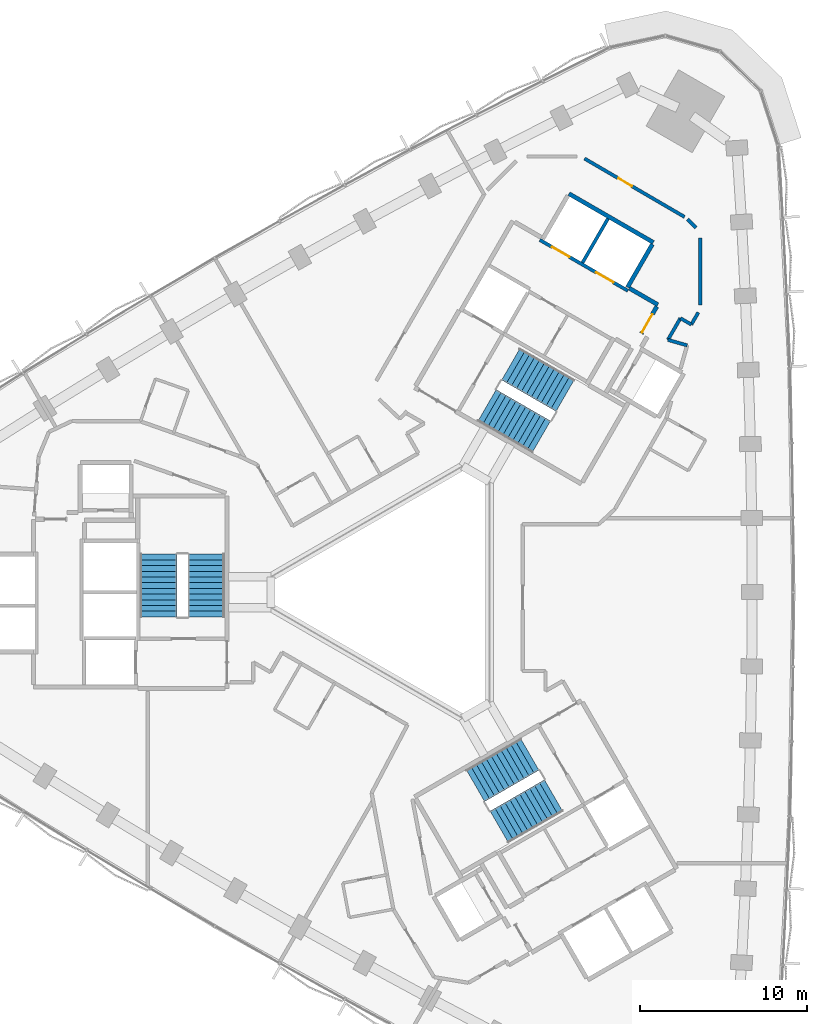
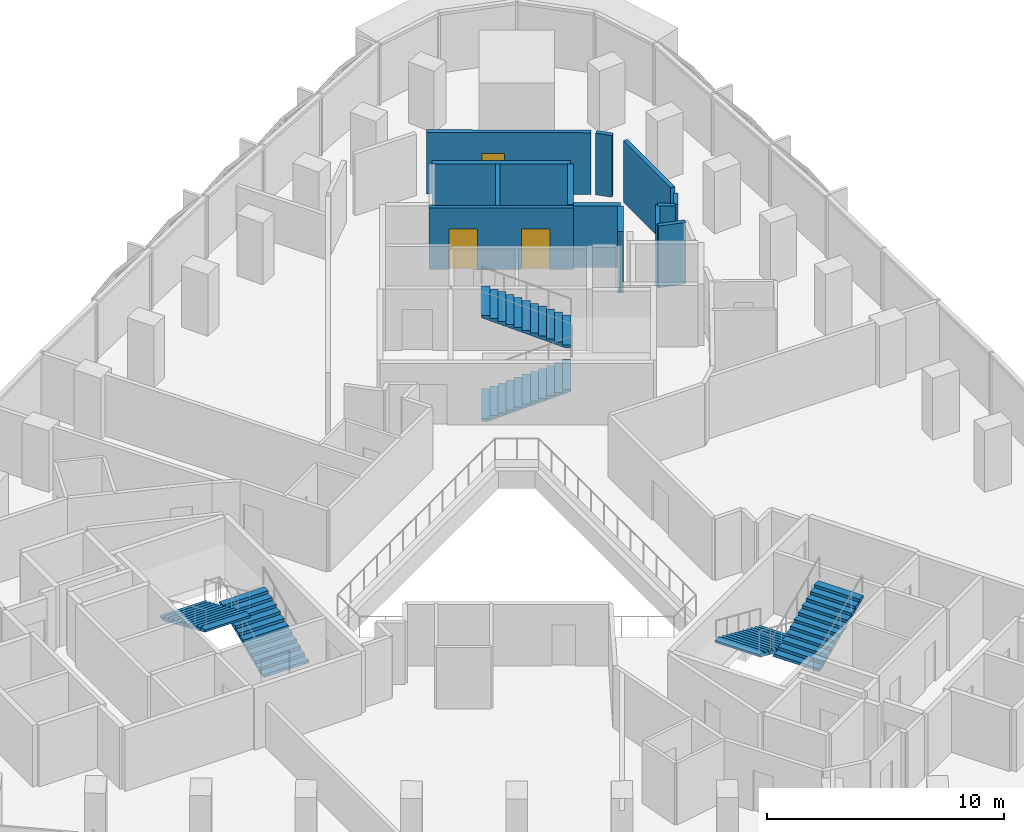
# One storey, part 11 of 15: 13 walls, 6 stair flights, 4 doors, 4 openings, 3 elements without a shape of their own.
"""IFC4 building model written with IfcOpenShell, lengths in metres."""

from ifc_helpers import new_model, si_unit, direction, frame, frame_2d, origin, place, context, subcontext, project, spatial, polyline, rectangle, outline, extrude, material, layer, layer_set, type_object, element, fill, aggregate, save


model = new_model("IFC4")

# Units and contexts
model_context = context("Model", 3, precision=1e-05, world=origin(), true_north=direction((0.0, 1.0)))
body_context = subcontext(model_context, "Body", "Model", "MODEL_VIEW")
ifc_project = project(units=[si_unit("LENGTHUNIT", "METRE"), si_unit("AREAUNIT", "SQUARE_METRE"), si_unit("VOLUMEUNIT", "CUBIC_METRE"), si_unit("PLANEANGLEUNIT", "RADIAN"), si_unit("MASSUNIT", "GRAM", prefix="KILO")], contexts=[model_context])

# Site, building, storey
site_placement = place(None, origin())
site = spatial("IfcSite", under=ifc_project, at=site_placement, CompositionType="ELEMENT")
building_placement = place(site_placement, origin())
building = spatial("IfcBuilding", under=site, at=building_placement, Name="Tamra Quay Hotel Tower", CompositionType="ELEMENT")
storey_placement = place(building_placement, frame((0.0, 0.0, 108.199951171875)))
storey = spatial("IfcBuildingStorey", under=building, at=storey_placement, Name="L26", CompositionType="ELEMENT", Elevation=108.199951171875)

# Wall, openings, doors
ifc_material_1 = material(Name="Concrete M70", Category="concrete")
ifc_layer_1 = layer(ifc_material_1, 0.199951171875)
ifc_layer_set_1 = layer_set([ifc_layer_1], Name="Concrete M70 core wall 200")
wall_type_1 = type_object("IfcWallType", Name="Concrete M70 core wall 200", PredefinedType="SHEAR", material=ifc_layer_set_1)
wall_1_placement = place(storey_placement, frame((13.209716796875, 18.07958984375, 0.0), z_axis=(0.0, 0.0, 1.0), x_axis=(-0.866030299012, 0.499991521122, 0.0)))
wall_1 = element("IfcWall", 1, at=wall_1_placement, inside=storey, type_object=wall_type_1, Name="CW2", PredefinedType="SHEAR", context=body_context, shape_type="SweptSolid", body=[
    extrude(rectangle(XDim=6.10009765625, YDim=0.199951171875, at=frame_2d((3.050048828125, 0.0))), origin(), (0.0, 0.0, 1.0), 3.175048828125),
])
opening_1_placement = place(wall_1_placement, frame((1.0, 0.0, 0.0)))
opening_1 = element("IfcOpeningElement", 2, at=opening_1_placement, cuts=wall_1, Name="Opening LD", PredefinedType="OPENING", context=body_context, shape_type="SweptSolid", body=[
    extrude(rectangle(XDim=1.199951171875, YDim=2.10009765625, at=frame_2d((0.60009765625, 1.050048828125))), frame((0.0, 0.10986328125, 0.0), z_axis=(0.0, -1.0, 0.0), x_axis=(1.0, 0.0, 0.0)), (0.0, 0.0, 1.0), 0.219970703125),
])
opening_2_placement = place(wall_1_placement, frame((4.05029296875, 0.0, 0.0)))
opening_2 = element("IfcOpeningElement", 3, at=opening_2_placement, cuts=wall_1, Name="Opening LD", PredefinedType="OPENING", context=body_context, shape_type="SweptSolid", body=[
    extrude(rectangle(XDim=1.199951171875, YDim=2.10009765625, at=frame_2d((0.60009765625, 1.050048828125))), frame((0.0, 0.10986328125, 0.0), z_axis=(0.0, -1.0, 0.0), x_axis=(1.0, 0.0, 0.0)), (0.0, 0.0, 1.0), 0.219970703125),
])
ifc_material_2 = material(Name="Landing door LD 1200 double door sliding")
door_type_1 = type_object("IfcDoorType", Name="Landing door LD 1200 double door sliding", OperationType="DOUBLE_DOOR_SLIDING", PredefinedType="DOOR", material=ifc_material_2)
door_1_placement = place(opening_1_placement, origin())
door_1 = element("IfcDoor", 4, at=door_1_placement, inside=storey, type_object=door_type_1, Name="LD", OperationType="DOUBLE_DOOR_SLIDING", OverallHeight=2.10009765625, OverallWidth=1.199951171875, PredefinedType="DOOR", context=body_context, shape_type="SweptSolid", body=[
    extrude(rectangle(XDim=1.199951171875, YDim=2.10009765625, at=frame_2d((0.60009765625, 1.050048828125))), frame((0.0, 0.02490234375, 0.0), z_axis=(0.0, -1.0, 0.0), x_axis=(1.0, 0.0, 0.0)), (0.0, 0.0, 1.0), 0.050048828125),
])
fill(opening_1, door_1)
door_2_placement = place(opening_2_placement, origin())
door_2 = element("IfcDoor", 5, at=door_2_placement, inside=storey, type_object=door_type_1, Name="LD", OperationType="DOUBLE_DOOR_SLIDING", OverallHeight=2.10009765625, OverallWidth=1.199951171875, PredefinedType="DOOR", context=body_context, shape_type="SweptSolid", body=[
    extrude(rectangle(XDim=1.199951171875, YDim=2.10009765625, at=frame_2d((0.60009765625, 1.050048828125))), frame((0.0, 0.02490234375, 0.0), z_axis=(0.0, -1.0, 0.0), x_axis=(1.0, 0.0, 0.0)), (0.0, 0.0, 1.0), 0.050048828125),
])
fill(opening_2, door_2)

# Walls
wall_2_placement = place(storey_placement, frame((10.48876953125, 19.76708984375, 0.0), z_axis=(0.0, 0.0, 1.0), x_axis=(0.499946628782, 0.866056215479, 0.0)))
element("IfcWall", 6, at=wall_2_placement, inside=storey, type_object=wall_type_1, Name="CW2", PredefinedType="SHEAR", context=body_context, shape_type="SweptSolid", body=[
    extrude(rectangle(XDim=3.048095703125, YDim=0.199951171875, at=frame_2d((1.52392578125, 0.0))), origin(), (0.0, 0.0, 1.0), 3.175048828125),
])
ifc_layer_2 = layer(ifc_material_1, 0.25)
ifc_layer_set_2 = layer_set([ifc_layer_2], Name="Concrete M70 core wall 250")
wall_type_2 = type_object("IfcWallType", Name="Concrete M70 core wall 250", PredefinedType="SHEAR", material=ifc_layer_set_2)
wall_3_placement = place(storey_placement, frame((9.672607421875, 23.9033203125, 0.0), z_axis=(0.0, 0.0, 1.0), x_axis=(0.86603616409, -0.499981362141, 0.0)))
element("IfcWall", 7, at=wall_3_placement, inside=storey, type_object=wall_type_2, Name="CW1", PredefinedType="SHEAR", context=body_context, shape_type="SweptSolid", body=[
    extrude(rectangle(XDim=5.849853515625, YDim=0.25, at=frame_2d((2.9248046875, 0.0))), origin(), (0.0, 0.0, 1.0), 3.175048828125),
])
wall_4_placement = place(storey_placement, frame((14.67626953125, 20.869873046875, 0.0), z_axis=(0.0, 0.0, 1.0), x_axis=(-0.499987686533, -0.866032512851, 0.0)))
element("IfcWall", 8, at=wall_4_placement, inside=storey, type_object=wall_type_2, Name="CW1", PredefinedType="SHEAR", context=body_context, shape_type="SweptSolid", body=[
    extrude(rectangle(XDim=2.974609375, YDim=0.25, at=frame_2d((1.4873046875, 0.0))), origin(), (0.0, 0.0, 1.0), 3.175048828125),
])
wall_5_placement = place(storey_placement, frame((13.29736328125, 18.23095703125, 0.0), z_axis=(0.0, 0.0, 1.0), x_axis=(0.866043531843, -0.499968599967, 0.0)))
element("IfcWall", 9, at=wall_5_placement, inside=storey, type_object=wall_type_2, Name="CW1", PredefinedType="SHEAR", context=body_context, shape_type="SweptSolid", body=[
    extrude(rectangle(XDim=1.974853515625, YDim=0.25, at=frame_2d((0.9873046875, 0.0))), origin(), (0.0, 0.0, 1.0), 3.175048828125),
])

# Wall, opening, door
wall_6_placement = place(storey_placement, frame((14.94482421875, 17.13525390625, 0.0), z_axis=(0.0, 0.0, 1.0), x_axis=(-0.499983108224, -0.866035156036, 0.0)))
wall_6 = element("IfcWall", 10, at=wall_6_placement, inside=storey, type_object=wall_type_2, Name="CW1", PredefinedType="SHEAR", context=body_context, shape_type="SweptSolid", body=[
    extrude(rectangle(XDim=1.86474609375, YDim=0.25, at=frame_2d((0.932373046875, 0.0))), origin(), (0.0, 0.0, 1.0), 3.175048828125),
])
opening_3_placement = place(wall_6_placement, frame((0.53466796875, 0.0, 0.0)))
opening_3 = element("IfcOpeningElement", 11, at=opening_3_placement, cuts=wall_6, Name="Opening FD3", PredefinedType="OPENING", context=body_context, shape_type="SweptSolid", body=[
    extrude(rectangle(XDim=1.25, YDim=2.10009765625, at=frame_2d((0.625, 1.050048828125))), frame((0.0, 0.135009765625, 0.0), z_axis=(0.0, -1.0, 0.0), x_axis=(1.0, 0.0, 0.0)), (0.0, 0.0, 1.0), 0.27001953125),
])
ifc_material_3 = material(Name="Core door FD3 1250x2100 LH")
door_type_2 = type_object("IfcDoorType", Name="Core door FD3 1250x2100 LH", OperationType="NOTDEFINED", PredefinedType="DOOR", material=ifc_material_3)
door_3_placement = place(opening_3_placement, origin())
door_3 = element("IfcDoor", 12, at=door_3_placement, inside=storey, type_object=door_type_2, Name="FD3", OperationType="SINGLE_SWING_LEFT", OverallHeight=2.10009765625, OverallWidth=1.25, PredefinedType="DOOR", context=body_context, shape_type="SweptSolid", body=[
    extrude(rectangle(XDim=1.25, YDim=2.10009765625, at=frame_2d((0.625, 1.050048828125))), frame((0.0, 0.02490234375, 0.0), z_axis=(0.0, -1.0, 0.0), x_axis=(1.0, 0.0, 0.0)), (0.0, 0.0, 1.0), 0.050048828125),
])
fill(opening_3, door_3)

ifc_material_4 = material(Name="Partition corridor wall")
ifc_layer_3 = layer(ifc_material_4, 0.199951171875)
ifc_layer_set_3 = layer_set([ifc_layer_3], Name="Partition corridor wall")
wall_type_3 = type_object("IfcWallType", Name="Partition corridor wall", PredefinedType="PARTITIONING", material=ifc_layer_set_3)
wall_7_placement = place(storey_placement, frame((10.60693359375, 26.010009765625, 0.0), z_axis=(0.0, 0.0, 1.0), x_axis=(0.863778900898, -0.503871025524, 0.0)))
wall_7 = element("IfcWall", 13, at=wall_7_placement, inside=storey, type_object=wall_type_3, Name="W-C", PredefinedType="PARTITIONING", context=body_context, shape_type="SweptSolid", body=[
    extrude(rectangle(XDim=6.9462890625, YDim=0.199951171875, at=frame_2d((3.47314453125, 0.0))), origin(), (0.0, 0.0, 1.0), 3.175048828125),
])
opening_4_placement = place(wall_7_placement, frame((2.35009765625, 0.0, 0.0)))
opening_4 = element("IfcOpeningElement", 14, at=opening_4_placement, cuts=wall_7, Name="Opening L26-D002", PredefinedType="OPENING", context=body_context, shape_type="SweptSolid", body=[
    extrude(rectangle(XDim=0.949951171875, YDim=2.10009765625, at=frame_2d((0.47509765625, 1.050048828125))), frame((0.0, 0.10986328125, 0.0), z_axis=(0.0, -1.0, 0.0), x_axis=(1.0, 0.0, 0.0)), (0.0, 0.0, 1.0), 0.219970703125),
])
ifc_material_5 = material(Name="Door guest room 950x2100")
door_type_3 = type_object("IfcDoorType", Name="Door guest room 950x2100", OperationType="NOTDEFINED", PredefinedType="DOOR", material=ifc_material_5)
door_4_placement = place(opening_4_placement, frame((0.949951171875, 0.0, 0.0), z_axis=(0.0, 0.0, 1.0), x_axis=(-1.0, 0.0, 0.0)))
door_4 = element("IfcDoor", 15, at=door_4_placement, inside=storey, type_object=door_type_3, Name="L26-D002", OperationType="SINGLE_SWING_LEFT", OverallHeight=2.10009765625, OverallWidth=0.949951171875, PredefinedType="DOOR", context=body_context, shape_type="SweptSolid", body=[
    extrude(rectangle(XDim=0.949951171875, YDim=2.10009765625, at=frame_2d((0.47509765625, 1.050048828125))), frame((0.0, 0.02490234375, 0.0), z_axis=(0.0, -1.0, 0.0), x_axis=(1.0, 0.0, 0.0)), (0.0, 0.0, 1.0), 0.050048828125),
])
fill(opening_4, door_4)

# Walls
wall_8_placement = place(storey_placement, frame((15.60888671875, 15.135986328125, 0.0), z_axis=(0.0, 0.0, 1.0), x_axis=(0.499501622561, 0.866312950993, 0.0)))
element("IfcWall", 16, at=wall_8_placement, inside=storey, type_object=wall_type_3, Name="W-C", PredefinedType="PARTITIONING", context=body_context, shape_type="SweptSolid", body=[
    extrude(rectangle(XDim=1.49951171875, YDim=0.199951171875, at=frame_2d((0.749755859375, 0.0))), origin(), (0.0, 0.0, 1.0), 3.175048828125),
])
wall_9_placement = place(storey_placement, frame((15.60888671875, 15.135986328125, 0.0), z_axis=(0.0, 0.0, 1.0), x_axis=(0.961662011825, -0.274237442763, 0.0)))
element("IfcWall", 17, at=wall_9_placement, inside=storey, type_object=wall_type_3, Name="W-C", PredefinedType="PARTITIONING", context=body_context, shape_type="SweptSolid", body=[
    extrude(rectangle(XDim=1.199951171875, YDim=0.199951171875, at=frame_2d((0.60009765625, 0.0))), origin(), (0.0, 0.0, 1.0), 3.175048828125),
])
wall_10_placement = place(storey_placement, frame((16.35791015625, 16.43505859375, 0.0), z_axis=(0.0, 0.0, 1.0), x_axis=(0.865470452227, -0.50095997477, 0.0)))
element("IfcWall", 18, at=wall_10_placement, inside=storey, type_object=wall_type_3, Name="W-C", PredefinedType="PARTITIONING", context=body_context, shape_type="SweptSolid", body=[
    extrude(rectangle(XDim=0.7568359375, YDim=0.199951171875, at=frame_2d((0.37841796875, 0.0))), origin(), (0.0, 0.0, 1.0), 3.175048828125),
])
wall_11_placement = place(storey_placement, frame((16.7890625, 22.368896484375, 0.0), z_axis=(0.0, 0.0, 1.0), x_axis=(0.707796304616, -0.706416584724, 0.0)))
element("IfcWall", 19, at=wall_11_placement, inside=storey, type_object=wall_type_3, Name="W-C", PredefinedType="PARTITIONING", context=body_context, shape_type="SweptSolid", body=[
    extrude(rectangle(XDim=0.707763671875, YDim=0.199951171875, at=frame_2d((0.35400390625, 0.0))), origin(), (0.0, 0.0, 1.0), 3.175048828125),
])
wall_12_placement = place(storey_placement, frame((17.012939453125, 16.055908203125, 0.0), z_axis=(0.0, 0.0, 1.0), x_axis=(0.500864178051, 0.865525895133, 0.0)))
element("IfcWall", 20, at=wall_12_placement, inside=storey, type_object=wall_type_3, Name="W-C", PredefinedType="PARTITIONING", context=body_context, shape_type="SweptSolid", body=[
    extrude(rectangle(XDim=0.8388671875, YDim=0.199951171875, at=frame_2d((0.41943359375, 0.0))), origin(), (0.0, 0.0, 1.0), 3.175048828125),
])
wall_13_placement = place(storey_placement, frame((17.553955078125, 17.23193359375, 0.0), z_axis=(0.0, 0.0, 1.0), x_axis=(0.0, 1.0, 0.0)))
element("IfcWall", 21, at=wall_13_placement, inside=storey, type_object=wall_type_3, Name="W-C", PredefinedType="PARTITIONING", context=body_context, shape_type="SweptSolid", body=[
    extrude(rectangle(XDim=4.0, YDim=0.199951171875, at=frame_2d((2.0, 0.0))), origin(), (0.0, 0.0, 1.0), 3.175048828125),
])

# Stair, stair flights
ifc_material_6 = material(Name="Exit stair 2200 24 risers 150.0 going 342")
stair_type = type_object("IfcStairType", Name="Exit stair 2200 24 risers 150.0 going 342", PredefinedType="HALF_TURN_STAIR", material=ifc_material_6)
stair_1_placement = place(storey_placement, origin())
stair_1 = element("IfcStair", 22, at=stair_1_placement, inside=storey, type_object=stair_type, Name="L26 Exit stair ST3", PredefinedType="HALF_TURN_STAIR")
ifc_material_7 = material(Name="Exit stair flight 2200 12 risers 150.0")
stair_flight_type = type_object("IfcStairFlightType", Name="Exit stair flight 2200 12 risers 150.0", PredefinedType="STRAIGHT", material=ifc_material_7)
stair_flight_1_placement = place(storey_placement, frame((-12.082275390625, -1.47998046875, 0.0), z_axis=(0.0, 0.0, 1.0), x_axis=(0.0, 1.0, 0.0)))
stair_flight_1 = element("IfcStairFlight", 23, at=stair_flight_1_placement, type_object=stair_flight_type, Name="ST3 flight 1", NumberOfRisers=12, NumberOfTreads=11, PredefinedType="STRAIGHT", RiserHeight=0.15, TreadLength=0.342, context=body_context, shape_type="SweptSolid", body=[
    extrude(outline(polyline([(0.0, 0.0), (0.0, 0.14990234375), (0.342041015625, 0.14990234375), (0.342041015625, 0.300048828125), (0.68408203125, 0.300048828125), (0.68408203125, 0.449951171875), (1.02587890625, 0.449951171875), (1.02587890625, 0.60009765625), (1.367919921875, 0.60009765625), (1.367919921875, 0.75), (1.7099609375, 0.75), (1.7099609375, 0.89990234375), (2.052001953125, 0.89990234375), (2.052001953125, 1.050048828125), (2.39404296875, 1.050048828125), (2.39404296875, 1.199951171875), (2.736083984375, 1.199951171875), (2.736083984375, 1.35009765625), (3.077880859375, 1.35009765625), (3.077880859375, 1.5), (3.419921875, 1.5), (3.419921875, 1.64990234375), (3.761962890625, 1.64990234375), (3.761962890625, 1.800048828125), (3.761962890625, 1.540771484375), (0.249267578125, 0.0), (0.0, 0.0)])), frame((0.0, 1.10009765625, 0.0), z_axis=(0.0, -1.0, 0.0), x_axis=(1.0, 0.0, 0.0)), (0.0, 0.0, 1.0), 2.199951171875),
])
stair_flight_2_placement = place(storey_placement, frame((-14.94140625, 2.281982421875, 1.800048828125), z_axis=(0.0, 0.0, 1.0), x_axis=(0.0, -1.0, 0.0)))
stair_flight_2 = element("IfcStairFlight", 24, at=stair_flight_2_placement, type_object=stair_flight_type, Name="ST3 flight 2", NumberOfRisers=12, NumberOfTreads=11, PredefinedType="STRAIGHT", RiserHeight=0.15, TreadLength=0.342, context=body_context, shape_type="SweptSolid", body=[
    extrude(outline(polyline([(0.0, 0.0), (0.0, 0.14990234375), (0.342041015625, 0.14990234375), (0.342041015625, 0.300048828125), (0.68408203125, 0.300048828125), (0.68408203125, 0.449951171875), (1.02587890625, 0.449951171875), (1.02587890625, 0.60009765625), (1.367919921875, 0.60009765625), (1.367919921875, 0.75), (1.7099609375, 0.75), (1.7099609375, 0.89990234375), (2.052001953125, 0.89990234375), (2.052001953125, 1.050048828125), (2.39404296875, 1.050048828125), (2.39404296875, 1.199951171875), (2.736083984375, 1.199951171875), (2.736083984375, 1.35009765625), (3.077880859375, 1.35009765625), (3.077880859375, 1.5), (3.419921875, 1.5), (3.419921875, 1.64990234375), (3.761962890625, 1.64990234375), (3.761962890625, 1.800048828125), (3.761962890625, 1.540771484375), (0.249267578125, 0.0), (0.0, 0.0)])), frame((0.0, 1.10009765625, 0.0), z_axis=(0.0, -1.0, 0.0), x_axis=(1.0, 0.0, 0.0)), (0.0, 0.0, 1.0), 2.199951171875),
])
aggregate(stair_1, [stair_flight_1, stair_flight_2])

stair_2_placement = place(storey_placement, origin())
stair_2 = element("IfcStair", 25, at=stair_2_placement, inside=storey, type_object=stair_type, Name="L26 Exit stair ST1", PredefinedType="HALF_TURN_STAIR")
stair_flight_3_placement = place(storey_placement, frame((4.75927734375, 11.20361328125, 0.0), z_axis=(0.0, 0.0, 1.0), x_axis=(0.866025403784, -0.5, 0.0)))
stair_flight_3 = element("IfcStairFlight", 26, at=stair_flight_3_placement, type_object=stair_flight_type, Name="ST1 flight 1", NumberOfRisers=12, NumberOfTreads=11, PredefinedType="STRAIGHT", RiserHeight=0.15, TreadLength=0.342, context=body_context, shape_type="SweptSolid", body=[
    extrude(outline(polyline([(0.0, 0.0), (0.0, 0.14990234375), (0.342041015625, 0.14990234375), (0.342041015625, 0.300048828125), (0.68408203125, 0.300048828125), (0.68408203125, 0.449951171875), (1.02587890625, 0.449951171875), (1.02587890625, 0.60009765625), (1.367919921875, 0.60009765625), (1.367919921875, 0.75), (1.7099609375, 0.75), (1.7099609375, 0.89990234375), (2.052001953125, 0.89990234375), (2.052001953125, 1.050048828125), (2.39404296875, 1.050048828125), (2.39404296875, 1.199951171875), (2.736083984375, 1.199951171875), (2.736083984375, 1.35009765625), (3.077880859375, 1.35009765625), (3.077880859375, 1.5), (3.419921875, 1.5), (3.419921875, 1.64990234375), (3.761962890625, 1.64990234375), (3.761962890625, 1.800048828125), (3.761962890625, 1.540771484375), (0.249267578125, 0.0), (0.0, 0.0)])), frame((0.0, 1.10009765625, 0.0), z_axis=(0.0, -1.0, 0.0), x_axis=(1.0, 0.0, 0.0)), (0.0, 0.0, 1.0), 2.199951171875),
])
stair_flight_4_placement = place(storey_placement, frame((9.44677734375, 11.798583984375, 1.800048828125), z_axis=(0.0, 0.0, 1.0), x_axis=(-0.866025403784, 0.5, 0.0)))
stair_flight_4 = element("IfcStairFlight", 27, at=stair_flight_4_placement, type_object=stair_flight_type, Name="ST1 flight 2", NumberOfRisers=12, NumberOfTreads=11, PredefinedType="STRAIGHT", RiserHeight=0.15, TreadLength=0.342, context=body_context, shape_type="SweptSolid", body=[
    extrude(outline(polyline([(0.0, 0.0), (0.0, 0.14990234375), (0.342041015625, 0.14990234375), (0.342041015625, 0.300048828125), (0.68408203125, 0.300048828125), (0.68408203125, 0.449951171875), (1.02587890625, 0.449951171875), (1.02587890625, 0.60009765625), (1.367919921875, 0.60009765625), (1.367919921875, 0.75), (1.7099609375, 0.75), (1.7099609375, 0.89990234375), (2.052001953125, 0.89990234375), (2.052001953125, 1.050048828125), (2.39404296875, 1.050048828125), (2.39404296875, 1.199951171875), (2.736083984375, 1.199951171875), (2.736083984375, 1.35009765625), (3.077880859375, 1.35009765625), (3.077880859375, 1.5), (3.419921875, 1.5), (3.419921875, 1.64990234375), (3.761962890625, 1.64990234375), (3.761962890625, 1.800048828125), (3.761962890625, 1.540771484375), (0.249267578125, 0.0), (0.0, 0.0)])), frame((0.0, 1.10009765625, 0.0), z_axis=(0.0, -1.0, 0.0), x_axis=(1.0, 0.0, 0.0)), (0.0, 0.0, 1.0), 2.199951171875),
])
aggregate(stair_2, [stair_flight_3, stair_flight_4])

stair_3_placement = place(storey_placement, origin())
stair_3 = element("IfcStair", 28, at=stair_3_placement, inside=storey, type_object=stair_type, Name="L26 Exit stair ST2", PredefinedType="HALF_TURN_STAIR")
stair_flight_5_placement = place(storey_placement, frame((7.322998046875, -9.7236328125, 0.0), z_axis=(0.0, 0.0, 1.0), x_axis=(-0.866025403784, -0.5, 0.0)))
stair_flight_5 = element("IfcStairFlight", 29, at=stair_flight_5_placement, type_object=stair_flight_type, Name="ST2 flight 1", NumberOfRisers=12, NumberOfTreads=11, PredefinedType="STRAIGHT", RiserHeight=0.15, TreadLength=0.342, context=body_context, shape_type="SweptSolid", body=[
    extrude(outline(polyline([(0.0, 0.0), (0.0, 0.14990234375), (0.342041015625, 0.14990234375), (0.342041015625, 0.300048828125), (0.68408203125, 0.300048828125), (0.68408203125, 0.449951171875), (1.02587890625, 0.449951171875), (1.02587890625, 0.60009765625), (1.367919921875, 0.60009765625), (1.367919921875, 0.75), (1.7099609375, 0.75), (1.7099609375, 0.89990234375), (2.052001953125, 0.89990234375), (2.052001953125, 1.050048828125), (2.39404296875, 1.050048828125), (2.39404296875, 1.199951171875), (2.736083984375, 1.199951171875), (2.736083984375, 1.35009765625), (3.077880859375, 1.35009765625), (3.077880859375, 1.5), (3.419921875, 1.5), (3.419921875, 1.64990234375), (3.761962890625, 1.64990234375), (3.761962890625, 1.800048828125), (3.761962890625, 1.540771484375), (0.249267578125, 0.0), (0.0, 0.0)])), frame((0.0, 1.10009765625, 0.0), z_axis=(0.0, -1.0, 0.0), x_axis=(1.0, 0.0, 0.0)), (0.0, 0.0, 1.0), 2.199951171875),
])
stair_flight_6_placement = place(storey_placement, frame((5.494384765625, -14.08056640625, 1.800048828125), z_axis=(0.0, 0.0, 1.0), x_axis=(0.866025403784, 0.5, 0.0)))
stair_flight_6 = element("IfcStairFlight", 30, at=stair_flight_6_placement, type_object=stair_flight_type, Name="ST2 flight 2", NumberOfRisers=12, NumberOfTreads=11, PredefinedType="STRAIGHT", RiserHeight=0.15, TreadLength=0.342, context=body_context, shape_type="SweptSolid", body=[
    extrude(outline(polyline([(0.0, 0.0), (0.0, 0.14990234375), (0.342041015625, 0.14990234375), (0.342041015625, 0.300048828125), (0.68408203125, 0.300048828125), (0.68408203125, 0.449951171875), (1.02587890625, 0.449951171875), (1.02587890625, 0.60009765625), (1.367919921875, 0.60009765625), (1.367919921875, 0.75), (1.7099609375, 0.75), (1.7099609375, 0.89990234375), (2.052001953125, 0.89990234375), (2.052001953125, 1.050048828125), (2.39404296875, 1.050048828125), (2.39404296875, 1.199951171875), (2.736083984375, 1.199951171875), (2.736083984375, 1.35009765625), (3.077880859375, 1.35009765625), (3.077880859375, 1.5), (3.419921875, 1.5), (3.419921875, 1.64990234375), (3.761962890625, 1.64990234375), (3.761962890625, 1.800048828125), (3.761962890625, 1.540771484375), (0.249267578125, 0.0), (0.0, 0.0)])), frame((0.0, 1.10009765625, 0.0), z_axis=(0.0, -1.0, 0.0), x_axis=(1.0, 0.0, 0.0)), (0.0, 0.0, 1.0), 2.199951171875),
])
aggregate(stair_3, [stair_flight_5, stair_flight_6])

save(model, "model.ifc")
